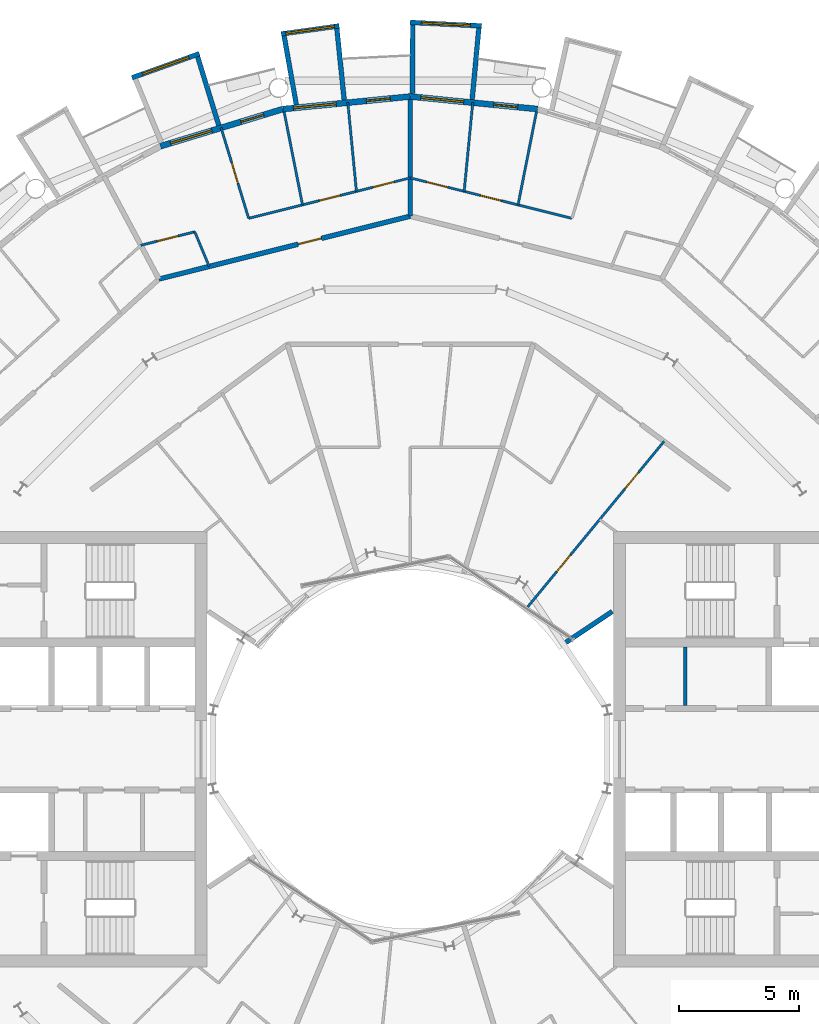
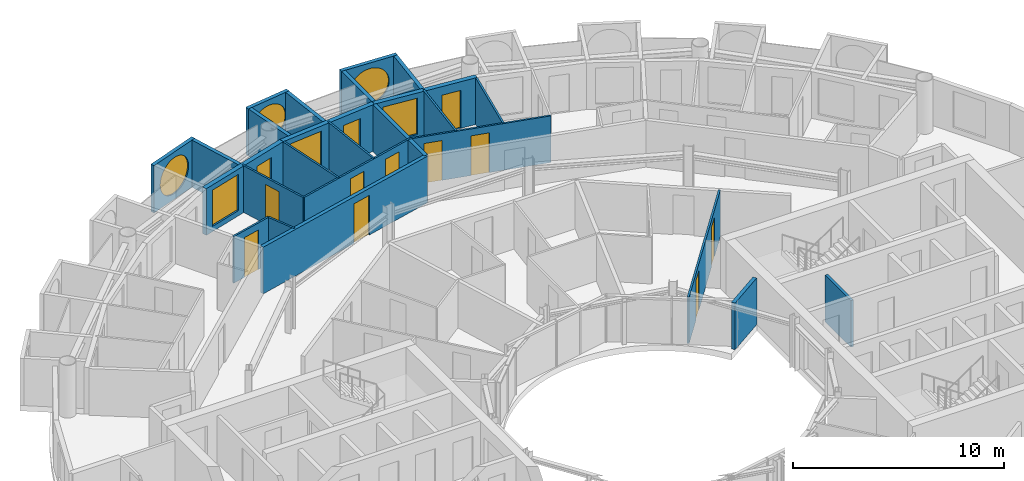
# One storey, part 21 of 26: 25 walls, 12 doors, 6 windows, 18 openings.
"""IFC4 building model written with IfcOpenShell, lengths in metres."""

from ifc_helpers import new_model, si_unit, direction, frame, frame_2d, origin, place, context, subcontext, project, spatial, rectangle, circle, extrude, material, layer, layer_set, type_object, element, fill, save


model = new_model("IFC4")

# Units and contexts
model_context = context("Model", 3, precision=1e-05, world=origin(), true_north=direction((0.0, 1.0)))
body_context = subcontext(model_context, "Body", "Model", "MODEL_VIEW")
ifc_project = project(units=[si_unit("LENGTHUNIT", "METRE"), si_unit("AREAUNIT", "SQUARE_METRE"), si_unit("VOLUMEUNIT", "CUBIC_METRE"), si_unit("PLANEANGLEUNIT", "RADIAN"), si_unit("MASSUNIT", "GRAM", prefix="KILO")], contexts=[model_context])

# Site, building, storey
site_placement = place(None, origin())
site = spatial("IfcSite", under=ifc_project, at=site_placement, CompositionType="ELEMENT")
building_placement = place(site_placement, origin())
building = spatial("IfcBuilding", under=site, at=building_placement, Name="Maasbend Ring Residences", CompositionType="ELEMENT")
storey_placement = place(building_placement, frame((0.0, 0.0, 154.35009765625)))
storey = spatial("IfcBuildingStorey", under=building, at=storey_placement, Name="L44", CompositionType="ELEMENT", Elevation=154.35009765625)

# Wall, opening, door
ifc_material_1 = material(Name="Concrete C30/37", Category="concrete")
ifc_layer_1 = layer(ifc_material_1, 0.199951171875)
ifc_layer_set_1 = layer_set([ifc_layer_1], Name="Concrete C30/37")
wall_type_1 = type_object("IfcWallType", Name="CORRIDOR WALL 200 CONCRETE", PredefinedType="PARTITIONING", material=ifc_layer_set_1)
wall_1_placement = place(storey_placement, frame((-10.511962890625, 19.6669921875, 0.0), z_axis=(0.0, 0.0, 1.0), x_axis=(0.970086843848, 0.242758141765, 0.0)))
wall_1 = element("IfcWall", 1, at=wall_1_placement, inside=storey, type_object=wall_type_1, Name="U-L44-w103", PredefinedType="PARTITIONING", context=body_context, shape_type="SweptSolid", body=[
    extrude(rectangle(XDim=10.84228515625, YDim=0.199951171875, at=frame_2d((5.421142578125, 0.0))), origin(), (0.0, 0.0, 1.0), 2.699951171875),
])
opening_1_placement = place(wall_1_placement, frame((6.001953125, 0.0, 0.0)))
opening_1 = element("IfcOpeningElement", 2, at=opening_1_placement, cuts=wall_1, Name="Opening D-4411", PredefinedType="OPENING", context=body_context, shape_type="SweptSolid", body=[
    extrude(rectangle(XDim=1.0, YDim=2.300048828125, at=frame_2d((0.5, 1.14990234375))), frame((0.0, 0.10986328125, 0.0), z_axis=(0.0, -1.0, 0.0), x_axis=(1.0, 0.0, 0.0)), (0.0, 0.0, 1.0), 0.219970703125),
])
ifc_material_2 = material(Name="Timber, fire-rated, painted", Category="wood")
door_type_1 = type_object("IfcDoorType", Name="FLAT ENTRANCE DOOR 1000 X 2300 FIRE-RATED", OperationType="NOTDEFINED", PredefinedType="DOOR", material=ifc_material_2)
door_1_placement = place(opening_1_placement, origin())
door_1 = element("IfcDoor", 3, at=door_1_placement, inside=storey, type_object=door_type_1, Name="D-4411", OperationType="SINGLE_SWING_RIGHT", OverallHeight=2.300048828125, OverallWidth=1.0, PredefinedType="DOOR", context=body_context, shape_type="SweptSolid", body=[
    extrude(rectangle(XDim=1.0, YDim=2.300048828125, at=frame_2d((0.5, 1.14990234375))), frame((0.0, 0.02490234375, 0.0), z_axis=(0.0, -1.0, 0.0), x_axis=(1.0, 0.0, 0.0)), (0.0, 0.0, 1.0), 0.050048828125),
])
fill(opening_1, door_1)

# Wall, opening, window
ifc_material_3 = material(Name="Pale anodised aluminium panel", Category="aluminium")
ifc_layer_2 = layer(ifc_material_3, 0.199951171875)
ifc_layer_set_2 = layer_set([ifc_layer_2], Name="EW-BOX")
wall_type_2 = type_object("IfcWallType", Name="EW-BOX", PredefinedType="SOLIDWALL", material=ifc_layer_set_2)
wall_2_placement = place(storey_placement, frame((2.985107421875, 30.2529296875, -0.030029296875), z_axis=(0.0, 0.0, 1.0), x_axis=(-0.998794083011, 0.049095618353, 0.0)))
wall_2 = element("IfcWall", 4, at=wall_2_placement, inside=storey, type_object=wall_type_2, Name="Box front N10", PredefinedType="SOLIDWALL", context=body_context, shape_type="SweptSolid", body=[
    extrude(rectangle(XDim=2.99365234375, YDim=0.199951171875, at=frame_2d((1.496826171875, 0.0))), origin(), (0.0, 0.0, 1.0), 2.72998046875),
])
opening_2_placement = place(wall_2_placement, frame((0.45654296875, 0.0, 0.330078125)))
opening_2 = element("IfcOpeningElement", 5, at=opening_2_placement, cuts=wall_2, Name="Opening W-RD", PredefinedType="OPENING", context=body_context, shape_type="SweptSolid", body=[
    extrude(circle(Radius=1.0400390625, at=frame_2d((1.0400390625, 1.0400390625))), frame((0.0, 0.10986328125, 0.0), z_axis=(0.0, -1.0, 0.0), x_axis=(1.0, 0.0, 0.0)), (0.0, 0.0, 1.0), 0.219970703125),
])
ifc_material_4 = material(Name="Aluminium and clear glass", Category="aluminium")
window_type_1 = type_object("IfcWindowType", Name="W-RD", PartitioningType="SINGLE_PANEL", PredefinedType="WINDOW", material=ifc_material_4)
window_1_placement = place(opening_2_placement, origin())
window_1 = element("IfcWindow", 6, at=window_1_placement, inside=storey, type_object=window_type_1, Name="Round window N10", OverallHeight=2.080078125, OverallWidth=2.080078125, PartitioningType="SINGLE_PANEL", PredefinedType="WINDOW", context=body_context, shape_type="SweptSolid", body=[
    extrude(circle(Radius=1.0400390625, at=frame_2d((1.0400390625, 1.0400390625))), frame((0.0, 0.030029296875, 0.0), z_axis=(0.0, -1.0, 0.0), x_axis=(1.0, 0.0, 0.0)), (0.0, 0.0, 1.0), 0.06005859375),
])
fill(opening_2, window_1)

# Walls
wall_3_placement = place(storey_placement, frame((2.5859375, 27.1708984375, -0.030029296875), z_axis=(0.0, 0.0, 1.0), x_axis=(0.094548432284, 0.995520262954, 0.0)))
element("IfcWall", 7, at=wall_3_placement, inside=storey, type_object=wall_type_2, Name="Box side wall N10 left", PredefinedType="SOLIDWALL", context=body_context, shape_type="SweptSolid", body=[
    extrude(rectangle(XDim=3.005615234375, YDim=0.199951171875, at=frame_2d((1.5029296875, 0.0))), origin(), (0.0, 0.0, 1.0), 2.72998046875),
])
wall_4_placement = place(storey_placement, frame((0.090087890625, 27.4169921875, -0.030029296875), z_axis=(0.0, 0.0, 1.0), x_axis=(0.00347308367, 0.999993968827, 0.0)))
element("IfcWall", 8, at=wall_4_placement, inside=storey, type_object=wall_type_2, Name="Box side wall N10 right", PredefinedType="SOLIDWALL", context=body_context, shape_type="SweptSolid", body=[
    extrude(rectangle(XDim=2.882080078125, YDim=0.199951171875, at=frame_2d((1.44091796875, 0.0))), origin(), (0.0, 0.0, 1.0), 2.72998046875),
])

# Wall, opening, window
wall_5_placement = place(storey_placement, frame((-2.97607421875, 30.25390625, -0.030029296875), z_axis=(0.0, 0.0, 1.0), x_axis=(-0.990462016113, -0.137786046596, 0.0)))
wall_5 = element("IfcWall", 9, at=wall_5_placement, inside=storey, type_object=wall_type_2, Name="Box front N12", PredefinedType="SOLIDWALL", context=body_context, shape_type="SweptSolid", body=[
    extrude(rectangle(XDim=2.4453125, YDim=0.199951171875, at=frame_2d((1.22265625, 0.0))), origin(), (0.0, 0.0, 1.0), 2.72998046875),
])
opening_3_placement = place(wall_5_placement, frame((0.182861328125, 0.0, 0.330078125)))
opening_3 = element("IfcOpeningElement", 10, at=opening_3_placement, cuts=wall_5, Name="Opening W-RD", PredefinedType="OPENING", context=body_context, shape_type="SweptSolid", body=[
    extrude(circle(Radius=1.0400390625, at=frame_2d((1.0400390625, 1.0400390625))), frame((0.0, 0.10986328125, 0.0), z_axis=(0.0, -1.0, 0.0), x_axis=(1.0, 0.0, 0.0)), (0.0, 0.0, 1.0), 0.219970703125),
])
window_2_placement = place(opening_3_placement, origin())
window_2 = element("IfcWindow", 11, at=window_2_placement, inside=storey, type_object=window_type_1, Name="Round window N12", OverallHeight=2.080078125, OverallWidth=2.080078125, PartitioningType="SINGLE_PANEL", PredefinedType="WINDOW", context=body_context, shape_type="SweptSolid", body=[
    extrude(circle(Radius=1.0400390625, at=frame_2d((1.0400390625, 1.0400390625))), frame((0.0, 0.030029296875, 0.0), z_axis=(0.0, -1.0, 0.0), x_axis=(1.0, 0.0, 0.0)), (0.0, 0.0, 1.0), 0.06005859375),
])
fill(opening_3, window_2)

# Walls
wall_6_placement = place(storey_placement, frame((-2.763916015625, 27.153076171875, -0.030029296875), z_axis=(0.0, 0.0, 1.0), x_axis=(-0.101505487237, 0.994834979311, 0.0)))
element("IfcWall", 12, at=wall_6_placement, inside=storey, type_object=wall_type_2, Name="Box side wall N12 left", PredefinedType="SOLIDWALL", context=body_context, shape_type="SweptSolid", body=[
    extrude(rectangle(XDim=3.006591796875, YDim=0.199951171875, at=frame_2d((1.50341796875, 0.0))), origin(), (0.0, 0.0, 1.0), 2.72998046875),
])
wall_7_placement = place(storey_placement, frame((-4.76904296875, 26.9560546875, -0.030029296875), z_axis=(0.0, 0.0, 1.0), x_axis=(-0.174056778901, 0.984735618183, 0.0)))
element("IfcWall", 13, at=wall_7_placement, inside=storey, type_object=wall_type_2, Name="Box side wall N12 right", PredefinedType="SOLIDWALL", context=body_context, shape_type="SweptSolid", body=[
    extrude(rectangle(XDim=2.924560546875, YDim=0.199951171875, at=frame_2d((1.46240234375, 0.0))), origin(), (0.0, 0.0, 1.0), 2.72998046875),
])

# Wall, opening, window
wall_8_placement = place(storey_placement, frame((-8.820068359375, 29.093017578125, -0.030029296875), z_axis=(0.0, 0.0, 1.0), x_axis=(-0.941461077774, -0.337121697664, 0.0)))
wall_8 = element("IfcWall", 14, at=wall_8_placement, inside=storey, type_object=wall_type_2, Name="Box front N14", PredefinedType="SOLIDWALL", context=body_context, shape_type="SweptSolid", body=[
    extrude(rectangle(XDim=2.9931640625, YDim=0.199951171875, at=frame_2d((1.49658203125, 0.0))), origin(), (0.0, 0.0, 1.0), 2.72998046875),
])
opening_4_placement = place(wall_8_placement, frame((0.45654296875, 0.0, 0.330078125)))
opening_4 = element("IfcOpeningElement", 15, at=opening_4_placement, cuts=wall_8, Name="Opening W-RD", PredefinedType="OPENING", context=body_context, shape_type="SweptSolid", body=[
    extrude(circle(Radius=1.0400390625, at=frame_2d((1.0400390625, 1.0400390625))), frame((0.0, 0.10986328125, 0.0), z_axis=(0.0, -1.0, 0.0), x_axis=(1.0, 0.0, 0.0)), (0.0, 0.0, 1.0), 0.219970703125),
])
window_3_placement = place(opening_4_placement, origin())
window_3 = element("IfcWindow", 16, at=window_3_placement, inside=storey, type_object=window_type_1, Name="Round window N14", OverallHeight=2.080078125, OverallWidth=2.080078125, PartitioningType="SINGLE_PANEL", PredefinedType="WINDOW", context=body_context, shape_type="SweptSolid", body=[
    extrude(circle(Radius=1.0400390625, at=frame_2d((1.0400390625, 1.0400390625))), frame((0.0, 0.030029296875, 0.0), z_axis=(0.0, -1.0, 0.0), x_axis=(1.0, 0.0, 0.0)), (0.0, 0.0, 1.0), 0.06005859375),
])
fill(opening_4, window_3)

# Wall
wall_9_placement = place(storey_placement, frame((-8.009033203125, 26.092041015625, -0.030029296875), z_axis=(0.0, 0.0, 1.0), x_axis=(-0.293406695073, 0.955987715029, 0.0)))
element("IfcWall", 17, at=wall_9_placement, inside=storey, type_object=wall_type_2, Name="Box side wall N14 left", PredefinedType="SOLIDWALL", context=body_context, shape_type="SweptSolid", body=[
    extrude(rectangle(XDim=3.00634765625, YDim=0.199951171875, at=frame_2d((1.503173828125, 0.0))), origin(), (0.0, 0.0, 1.0), 2.72998046875),
])

# Wall, openings, door, window
ifc_material_5 = material(Name="Aluminium clad insulated panel", Category="aluminium")
ifc_layer_3 = layer(ifc_material_5, 0.25)
ifc_layer_set_3 = layer_set([ifc_layer_3], Name="EW-GL")
wall_type_3 = type_object("IfcWallType", Name="EW-GL", PredefinedType="SOLIDWALL", material=ifc_layer_set_3)
wall_10_placement = place(storey_placement, frame((5.325927734375, 26.77490234375, 0.0), z_axis=(0.0, 0.0, 1.0), x_axis=(-0.995173996315, 0.098126026407, 0.0)))
wall_10 = element("IfcWall", 18, at=wall_10_placement, inside=storey, type_object=wall_type_3, Name="External wall N05", PredefinedType="SOLIDWALL", context=body_context, shape_type="SweptSolid", body=[
    extrude(rectangle(XDim=5.351806640625, YDim=0.25, at=frame_2d((2.67578125, 0.0))), origin(), (0.0, 0.0, 1.0), 2.699951171875),
])
opening_5_placement = place(wall_10_placement, frame((0.841064453125, 0.0, 0.0)))
opening_5 = element("IfcOpeningElement", 19, at=opening_5_placement, cuts=wall_10, Name="Opening D-LG", PredefinedType="OPENING", context=body_context, shape_type="SweptSolid", body=[
    extrude(rectangle(XDim=1.0, YDim=2.199951171875, at=frame_2d((0.5, 1.10009765625))), frame((0.0, 0.135009765625, 0.0), z_axis=(0.0, -1.0, 0.0), x_axis=(1.0, 0.0, 0.0)), (0.0, 0.0, 1.0), 0.27001953125),
])
opening_6_placement = place(wall_10_placement, frame((3.110595703125, 0.0, 0.300048828125)))
opening_6 = element("IfcOpeningElement", 20, at=opening_6_placement, cuts=wall_10, Name="Opening W-BX", PredefinedType="OPENING", context=body_context, shape_type="SweptSolid", body=[
    extrude(rectangle(XDim=1.800048828125, YDim=2.10009765625, at=frame_2d((0.89990234375, 1.050048828125))), frame((0.0, 0.135009765625, 0.0), z_axis=(0.0, -1.0, 0.0), x_axis=(1.0, 0.0, 0.0)), (0.0, 0.0, 1.0), 0.27001953125),
])
ifc_material_6 = material(Name="Aluminium and clear glass", Category="aluminium")
door_type_2 = type_object("IfcDoorType", Name="D-LG", OperationType="SINGLE_SWING_LEFT", PredefinedType="DOOR", material=ifc_material_6)
door_2_placement = place(opening_5_placement, origin())
door_2 = element("IfcDoor", 21, at=door_2_placement, inside=storey, type_object=door_type_2, Name="Loggia door N09", OperationType="SINGLE_SWING_LEFT", OverallHeight=2.199951171875, OverallWidth=1.0, PredefinedType="DOOR", context=body_context, shape_type="SweptSolid", body=[
    extrude(rectangle(XDim=1.0, YDim=2.199951171875, at=frame_2d((0.5, 1.10009765625))), frame((0.0, 0.02490234375, 0.0), z_axis=(0.0, -1.0, 0.0), x_axis=(1.0, 0.0, 0.0)), (0.0, 0.0, 1.0), 0.050048828125),
])
fill(opening_5, door_2)
ifc_material_7 = material(Name="Aluminium and clear glass", Category="aluminium")
window_type_2 = type_object("IfcWindowType", Name="W-BX", PartitioningType="DOUBLE_PANEL_VERTICAL", PredefinedType="WINDOW", material=ifc_material_7)
window_4_placement = place(opening_6_placement, origin())
window_4 = element("IfcWindow", 22, at=window_4_placement, inside=storey, type_object=window_type_2, Name="Window N10 room to box", OverallHeight=2.10009765625, OverallWidth=1.800048828125, PartitioningType="SINGLE_PANEL", PredefinedType="WINDOW", context=body_context, shape_type="SweptSolid", body=[
    extrude(rectangle(XDim=1.800048828125, YDim=2.10009765625, at=frame_2d((0.89990234375, 1.050048828125))), frame((0.0, 0.030029296875, 0.0), z_axis=(0.0, -1.0, 0.0), x_axis=(1.0, 0.0, 0.0)), (0.0, 0.0, 1.0), 0.06005859375),
])
fill(opening_6, window_4)

wall_11_placement = place(storey_placement, frame((0.0, 27.300048828125, 0.0), z_axis=(0.0, 0.0, 1.0), x_axis=(-0.995173996315, -0.098126026407, 0.0)))
wall_11 = element("IfcWall", 23, at=wall_11_placement, inside=storey, type_object=wall_type_3, Name="External wall N06", PredefinedType="SOLIDWALL", context=body_context, shape_type="SweptSolid", body=[
    extrude(rectangle(XDim=5.351806640625, YDim=0.25, at=frame_2d((2.67578125, 0.0))), origin(), (0.0, 0.0, 1.0), 2.699951171875),
])
opening_7_placement = place(wall_11_placement, frame((0.841064453125, 0.0, 0.0)))
opening_7 = element("IfcOpeningElement", 24, at=opening_7_placement, cuts=wall_11, Name="Opening D-LG", PredefinedType="OPENING", context=body_context, shape_type="SweptSolid", body=[
    extrude(rectangle(XDim=1.0, YDim=2.199951171875, at=frame_2d((0.5, 1.10009765625))), frame((0.0, 0.135009765625, 0.0), z_axis=(0.0, -1.0, 0.0), x_axis=(1.0, 0.0, 0.0)), (0.0, 0.0, 1.0), 0.27001953125),
])
opening_8_placement = place(wall_11_placement, frame((3.110595703125, 0.0, 0.300048828125)))
opening_8 = element("IfcOpeningElement", 25, at=opening_8_placement, cuts=wall_11, Name="Opening W-BX", PredefinedType="OPENING", context=body_context, shape_type="SweptSolid", body=[
    extrude(rectangle(XDim=1.800048828125, YDim=2.10009765625, at=frame_2d((0.89990234375, 1.050048828125))), frame((0.0, 0.135009765625, 0.0), z_axis=(0.0, -1.0, 0.0), x_axis=(1.0, 0.0, 0.0)), (0.0, 0.0, 1.0), 0.27001953125),
])
door_3_placement = place(opening_7_placement, origin())
door_3 = element("IfcDoor", 26, at=door_3_placement, inside=storey, type_object=door_type_2, Name="Loggia door N11", OperationType="SINGLE_SWING_LEFT", OverallHeight=2.199951171875, OverallWidth=1.0, PredefinedType="DOOR", context=body_context, shape_type="SweptSolid", body=[
    extrude(rectangle(XDim=1.0, YDim=2.199951171875, at=frame_2d((0.5, 1.10009765625))), frame((0.0, 0.02490234375, 0.0), z_axis=(0.0, -1.0, 0.0), x_axis=(1.0, 0.0, 0.0)), (0.0, 0.0, 1.0), 0.050048828125),
])
fill(opening_7, door_3)
window_5_placement = place(opening_8_placement, origin())
window_5 = element("IfcWindow", 27, at=window_5_placement, inside=storey, type_object=window_type_2, Name="Window N12 room to box", OverallHeight=2.10009765625, OverallWidth=1.800048828125, PartitioningType="SINGLE_PANEL", PredefinedType="WINDOW", context=body_context, shape_type="SweptSolid", body=[
    extrude(rectangle(XDim=1.800048828125, YDim=2.10009765625, at=frame_2d((0.89990234375, 1.050048828125))), frame((0.0, 0.030029296875, 0.0), z_axis=(0.0, -1.0, 0.0), x_axis=(1.0, 0.0, 0.0)), (0.0, 0.0, 1.0), 0.06005859375),
])
fill(opening_8, window_5)

wall_12_placement = place(storey_placement, frame((-5.325927734375, 26.77490234375, 0.0), z_axis=(0.0, 0.0, 1.0), x_axis=(-0.956965678721, -0.290201119486, 0.0)))
wall_12 = element("IfcWall", 28, at=wall_12_placement, inside=storey, type_object=wall_type_3, Name="External wall N07", PredefinedType="SOLIDWALL", context=body_context, shape_type="SweptSolid", body=[
    extrude(rectangle(XDim=5.351318359375, YDim=0.25, at=frame_2d((2.67578125, 0.0))), origin(), (0.0, 0.0, 1.0), 2.699951171875),
])
opening_9_placement = place(wall_12_placement, frame((0.841064453125, 0.0, 0.0)))
opening_9 = element("IfcOpeningElement", 29, at=opening_9_placement, cuts=wall_12, Name="Opening D-LG", PredefinedType="OPENING", context=body_context, shape_type="SweptSolid", body=[
    extrude(rectangle(XDim=1.0, YDim=2.199951171875, at=frame_2d((0.5, 1.10009765625))), frame((0.0, 0.135009765625, 0.0), z_axis=(0.0, -1.0, 0.0), x_axis=(1.0, 0.0, 0.0)), (0.0, 0.0, 1.0), 0.27001953125),
])
opening_10_placement = place(wall_12_placement, frame((3.110595703125, 0.0, 0.300048828125)))
opening_10 = element("IfcOpeningElement", 30, at=opening_10_placement, cuts=wall_12, Name="Opening W-BX", PredefinedType="OPENING", context=body_context, shape_type="SweptSolid", body=[
    extrude(rectangle(XDim=1.800048828125, YDim=2.10009765625, at=frame_2d((0.89990234375, 1.050048828125))), frame((0.0, 0.135009765625, 0.0), z_axis=(0.0, -1.0, 0.0), x_axis=(1.0, 0.0, 0.0)), (0.0, 0.0, 1.0), 0.27001953125),
])
door_4_placement = place(opening_9_placement, origin())
door_4 = element("IfcDoor", 31, at=door_4_placement, inside=storey, type_object=door_type_2, Name="Loggia door N13", OperationType="SINGLE_SWING_LEFT", OverallHeight=2.199951171875, OverallWidth=1.0, PredefinedType="DOOR", context=body_context, shape_type="SweptSolid", body=[
    extrude(rectangle(XDim=1.0, YDim=2.199951171875, at=frame_2d((0.5, 1.10009765625))), frame((0.0, 0.02490234375, 0.0), z_axis=(0.0, -1.0, 0.0), x_axis=(1.0, 0.0, 0.0)), (0.0, 0.0, 1.0), 0.050048828125),
])
fill(opening_9, door_4)
window_6_placement = place(opening_10_placement, origin())
window_6 = element("IfcWindow", 32, at=window_6_placement, inside=storey, type_object=window_type_2, Name="Window N14 room to box", OverallHeight=2.10009765625, OverallWidth=1.800048828125, PartitioningType="SINGLE_PANEL", PredefinedType="WINDOW", context=body_context, shape_type="SweptSolid", body=[
    extrude(rectangle(XDim=1.800048828125, YDim=2.10009765625, at=frame_2d((0.89990234375, 1.050048828125))), frame((0.0, 0.030029296875, 0.0), z_axis=(0.0, -1.0, 0.0), x_axis=(1.0, 0.0, 0.0)), (0.0, 0.0, 1.0), 0.06005859375),
])
fill(opening_10, window_6)

# Wall
ifc_material_8 = material(Name="Gypsum board on steel studs", Category="steel")
ifc_layer_4 = layer(ifc_material_8, 0.10009765625)
ifc_layer_set_4 = layer_set([ifc_layer_4], Name="PARTITION 100 GYPSUM")
wall_type_4 = type_object("IfcWallType", Name="PARTITION 100 GYPSUM", PredefinedType="PARTITIONING", material=ifc_layer_set_4)
wall_13_placement = place(storey_placement, frame((-9.012939453125, 21.64208984375, 0.0), z_axis=(0.0, 0.0, 1.0), x_axis=(0.384228756538, -0.923237923099, 0.0)))
element("IfcWall", 33, at=wall_13_placement, inside=storey, type_object=wall_type_4, Name="U-L44-w031", PredefinedType="PARTITIONING", context=body_context, shape_type="SweptSolid", body=[
    extrude(rectangle(XDim=1.5693359375, YDim=0.10009765625, at=frame_2d((0.78466796875, 0.0))), origin(), (0.0, 0.0, 1.0), 2.699951171875),
])

# Wall, opening, door
wall_14_placement = place(storey_placement, frame((-7.9140625, 25.9970703125, 0.0), z_axis=(0.0, 0.0, 1.0), x_axis=(0.291291575636, -0.956634317785, 0.0)))
wall_14 = element("IfcWall", 34, at=wall_14_placement, inside=storey, type_object=wall_type_4, Name="U-L44-w051", PredefinedType="PARTITIONING", context=body_context, shape_type="SweptSolid", body=[
    extrude(rectangle(XDim=3.9619140625, YDim=0.10009765625, at=frame_2d((1.98095703125, 0.0))), origin(), (0.0, 0.0, 1.0), 2.699951171875),
])
opening_11_placement = place(wall_14_placement, frame((1.531005859375, 0.0, 0.0)))
opening_11 = element("IfcOpeningElement", 35, at=opening_11_placement, cuts=wall_14, Name="Opening D-4413", PredefinedType="OPENING", context=body_context, shape_type="SweptSolid", body=[
    extrude(rectangle(XDim=0.89990234375, YDim=2.300048828125, at=frame_2d((0.449951171875, 1.14990234375))), frame((0.0, 0.06005859375, 0.0), z_axis=(0.0, -1.0, 0.0), x_axis=(1.0, 0.0, 0.0)), (0.0, 0.0, 1.0), 0.1201171875),
])
ifc_material_9 = material(Name="Timber, painted", Category="wood")
door_type_3 = type_object("IfcDoorType", Name="INTERNAL DOOR 900 X 2300", OperationType="NOTDEFINED", PredefinedType="DOOR", material=ifc_material_9)
door_5_placement = place(opening_11_placement, origin())
door_5 = element("IfcDoor", 36, at=door_5_placement, inside=storey, type_object=door_type_3, Name="D-4413", OperationType="SINGLE_SWING_RIGHT", OverallHeight=2.300048828125, OverallWidth=0.89990234375, PredefinedType="DOOR", context=body_context, shape_type="SweptSolid", body=[
    extrude(rectangle(XDim=0.89990234375, YDim=2.300048828125, at=frame_2d((0.449951171875, 1.14990234375))), frame((0.0, 0.02490234375, 0.0), z_axis=(0.0, -1.0, 0.0), x_axis=(1.0, 0.0, 0.0)), (0.0, 0.0, 1.0), 0.050048828125),
])
fill(opening_11, door_5)

# Walls
wall_15_placement = place(storey_placement, frame((-5.27587890625, 26.657958984375, 0.0), z_axis=(0.0, 0.0, 1.0), x_axis=(0.194030211642, -0.980995554001, 0.0)))
element("IfcWall", 37, at=wall_15_placement, inside=storey, type_object=wall_type_4, Name="U-L44-w055", PredefinedType="PARTITIONING", context=body_context, shape_type="SweptSolid", body=[
    extrude(rectangle(XDim=3.962158203125, YDim=0.10009765625, at=frame_2d((1.98095703125, 0.0))), origin(), (0.0, 0.0, 1.0), 2.699951171875),
])
for number, where, z_axis, x_axis, name in (
    (38, (-2.612060546875, 27.049072265625, 0.0), (0.0, 0.0, 1.0), (0.09626981452, -0.995355274669, 0.0), "U-L44-w057"),
    (39, (2.2529296875, 23.3359375, 0.0), (0.0, 0.0, 1.0), (0.09626981452, 0.995355274669, 0.0), "U-L44-w068"),
):
    element("IfcWall", number, at=place(storey_placement, frame(where, z_axis=z_axis, x_axis=x_axis)), inside=storey, type_object=wall_type_4, Name=name, PredefinedType="PARTITIONING", context=body_context, shape_type="SweptSolid", body=[
        extrude(rectangle(XDim=3.73046875, YDim=0.10009765625, at=frame_2d((1.865234375, 0.0))), origin(), (0.0, 0.0, 1.0), 2.699951171875),
    ])
wall_16_placement = place(storey_placement, frame((4.507080078125, 22.77099609375, 0.0), z_axis=(0.0, 0.0, 1.0), x_axis=(0.194030211642, 0.980995554001, 0.0)))
element("IfcWall", 40, at=wall_16_placement, inside=storey, type_object=wall_type_4, Name="U-L44-w069", PredefinedType="PARTITIONING", context=body_context, shape_type="SweptSolid", body=[
    extrude(rectangle(XDim=3.962158203125, YDim=0.10009765625, at=frame_2d((1.98095703125, 0.0))), origin(), (0.0, 0.0, 1.0), 2.699951171875),
])

# Wall, openings, doors
wall_17_placement = place(storey_placement, frame((4.908935546875, 5.9580078125, 0.0), z_axis=(0.0, 0.0, 1.0), x_axis=(0.635879010442, 0.771788756124, 0.0)))
wall_17 = element("IfcWall", 41, at=wall_17_placement, inside=storey, type_object=wall_type_4, Name="U-L44-w072", PredefinedType="PARTITIONING", context=body_context, shape_type="SweptSolid", body=[
    extrude(rectangle(XDim=8.96728515625, YDim=0.10009765625, at=frame_2d((4.483642578125, 0.0))), origin(), (0.0, 0.0, 1.0), 2.699951171875),
])
opening_12_placement = place(wall_17_placement, frame((6.39990234375, 0.0, 0.0)))
opening_12 = element("IfcOpeningElement", 42, at=opening_12_placement, cuts=wall_17, Name="Opening D-4423", PredefinedType="OPENING", context=body_context, shape_type="SweptSolid", body=[
    extrude(rectangle(XDim=0.89990234375, YDim=2.300048828125, at=frame_2d((0.449951171875, 1.14990234375))), frame((0.0, 0.06005859375, 0.0), z_axis=(0.0, -1.0, 0.0), x_axis=(1.0, 0.0, 0.0)), (0.0, 0.0, 1.0), 0.1201171875),
])
opening_13_placement = place(wall_17_placement, frame((1.9169921875, 0.0, 0.0)))
opening_13 = element("IfcOpeningElement", 43, at=opening_13_placement, cuts=wall_17, Name="Opening D-4424", PredefinedType="OPENING", context=body_context, shape_type="SweptSolid", body=[
    extrude(rectangle(XDim=0.89990234375, YDim=2.300048828125, at=frame_2d((0.449951171875, 1.14990234375))), frame((0.0, 0.06005859375, 0.0), z_axis=(0.0, -1.0, 0.0), x_axis=(1.0, 0.0, 0.0)), (0.0, 0.0, 1.0), 0.1201171875),
])
door_6_placement = place(opening_12_placement, origin())
door_6 = element("IfcDoor", 44, at=door_6_placement, inside=storey, type_object=door_type_3, Name="D-4423", OperationType="SINGLE_SWING_RIGHT", OverallHeight=2.300048828125, OverallWidth=0.89990234375, PredefinedType="DOOR", context=body_context, shape_type="SweptSolid", body=[
    extrude(rectangle(XDim=0.89990234375, YDim=2.300048828125, at=frame_2d((0.449951171875, 1.14990234375))), frame((0.0, 0.02490234375, 0.0), z_axis=(0.0, -1.0, 0.0), x_axis=(1.0, 0.0, 0.0)), (0.0, 0.0, 1.0), 0.050048828125),
])
fill(opening_12, door_6)
door_7_placement = place(opening_13_placement, origin())
door_7 = element("IfcDoor", 45, at=door_7_placement, inside=storey, type_object=door_type_3, Name="D-4424", OperationType="SINGLE_SWING_LEFT", OverallHeight=2.300048828125, OverallWidth=0.89990234375, PredefinedType="DOOR", context=body_context, shape_type="SweptSolid", body=[
    extrude(rectangle(XDim=0.89990234375, YDim=2.300048828125, at=frame_2d((0.449951171875, 1.14990234375))), frame((0.0, 0.02490234375, 0.0), z_axis=(0.0, -1.0, 0.0), x_axis=(1.0, 0.0, 0.0)), (0.0, 0.0, 1.0), 0.050048828125),
])
fill(opening_13, door_7)

# Wall, opening, door
wall_18_placement = place(storey_placement, frame((-11.26611328125, 21.077880859375, 0.0), z_axis=(0.0, 0.0, 1.0), x_axis=(0.970074595874, 0.242807080706, 0.0)))
wall_18 = element("IfcWall", 46, at=wall_18_placement, inside=storey, type_object=wall_type_4, Name="U-L44-w112", PredefinedType="PARTITIONING", context=body_context, shape_type="SweptSolid", body=[
    extrude(rectangle(XDim=2.32763671875, YDim=0.10009765625, at=frame_2d((1.163818359375, 0.0))), origin(), (0.0, 0.0, 1.0), 2.699951171875),
])
opening_14_placement = place(wall_18_placement, frame((0.714111328125, 0.0, 0.0)))
opening_14 = element("IfcOpeningElement", 47, at=opening_14_placement, cuts=wall_18, Name="Opening D-4412", PredefinedType="OPENING", context=body_context, shape_type="SweptSolid", body=[
    extrude(rectangle(XDim=0.89990234375, YDim=2.300048828125, at=frame_2d((0.449951171875, 1.14990234375))), frame((0.0, 0.06005859375, 0.0), z_axis=(0.0, -1.0, 0.0), x_axis=(1.0, 0.0, 0.0)), (0.0, 0.0, 1.0), 0.1201171875),
])
door_8_placement = place(opening_14_placement, origin())
door_8 = element("IfcDoor", 48, at=door_8_placement, inside=storey, type_object=door_type_3, Name="D-4412", OperationType="SINGLE_SWING_RIGHT", OverallHeight=2.300048828125, OverallWidth=0.89990234375, PredefinedType="DOOR", context=body_context, shape_type="SweptSolid", body=[
    extrude(rectangle(XDim=0.89990234375, YDim=2.300048828125, at=frame_2d((0.449951171875, 1.14990234375))), frame((0.0, 0.02490234375, 0.0), z_axis=(0.0, -1.0, 0.0), x_axis=(1.0, 0.0, 0.0)), (0.0, 0.0, 1.0), 0.050048828125),
])
fill(opening_14, door_8)

# Wall, openings, doors
wall_19_placement = place(storey_placement, frame((-6.760009765625, 22.2060546875, 0.0), z_axis=(0.0, 0.0, 1.0), x_axis=(0.970070358667, 0.242824008772, 0.0)))
wall_19 = element("IfcWall", 49, at=wall_19_placement, inside=storey, type_object=wall_type_4, Name="U-L44-w113", PredefinedType="PARTITIONING", context=body_context, shape_type="SweptSolid", body=[
    extrude(rectangle(XDim=6.9716796875, YDim=0.10009765625, at=frame_2d((3.48583984375, 0.0))), origin(), (0.0, 0.0, 1.0), 2.699951171875),
])
opening_15_placement = place(wall_19_placement, frame((3.037109375, 0.0, 0.0)))
opening_15 = element("IfcOpeningElement", 50, at=opening_15_placement, cuts=wall_19, Name="Opening D-4414", PredefinedType="OPENING", context=body_context, shape_type="SweptSolid", body=[
    extrude(rectangle(XDim=0.89990234375, YDim=2.300048828125, at=frame_2d((0.449951171875, 1.14990234375))), frame((0.0, 0.06005859375, 0.0), z_axis=(0.0, -1.0, 0.0), x_axis=(1.0, 0.0, 0.0)), (0.0, 0.0, 1.0), 0.1201171875),
])
opening_16_placement = place(wall_19_placement, frame((5.35693359375, 0.0, 0.0)))
opening_16 = element("IfcOpeningElement", 51, at=opening_16_placement, cuts=wall_19, Name="Opening D-4415", PredefinedType="OPENING", context=body_context, shape_type="SweptSolid", body=[
    extrude(rectangle(XDim=0.89990234375, YDim=2.300048828125, at=frame_2d((0.449951171875, 1.14990234375))), frame((0.0, 0.06005859375, 0.0), z_axis=(0.0, -1.0, 0.0), x_axis=(1.0, 0.0, 0.0)), (0.0, 0.0, 1.0), 0.1201171875),
])
door_9_placement = place(opening_15_placement, origin())
door_9 = element("IfcDoor", 52, at=door_9_placement, inside=storey, type_object=door_type_3, Name="D-4414", OperationType="SINGLE_SWING_RIGHT", OverallHeight=2.300048828125, OverallWidth=0.89990234375, PredefinedType="DOOR", context=body_context, shape_type="SweptSolid", body=[
    extrude(rectangle(XDim=0.89990234375, YDim=2.300048828125, at=frame_2d((0.449951171875, 1.14990234375))), frame((0.0, 0.02490234375, 0.0), z_axis=(0.0, -1.0, 0.0), x_axis=(1.0, 0.0, 0.0)), (0.0, 0.0, 1.0), 0.050048828125),
])
fill(opening_15, door_9)
door_10_placement = place(opening_16_placement, origin())
door_10 = element("IfcDoor", 53, at=door_10_placement, inside=storey, type_object=door_type_3, Name="D-4415", OperationType="SINGLE_SWING_RIGHT", OverallHeight=2.300048828125, OverallWidth=0.89990234375, PredefinedType="DOOR", context=body_context, shape_type="SweptSolid", body=[
    extrude(rectangle(XDim=0.89990234375, YDim=2.300048828125, at=frame_2d((0.449951171875, 1.14990234375))), frame((0.0, 0.02490234375, 0.0), z_axis=(0.0, -1.0, 0.0), x_axis=(1.0, 0.0, 0.0)), (0.0, 0.0, 1.0), 0.050048828125),
])
fill(opening_16, door_10)

wall_20_placement = place(storey_placement, frame((-0.0029296875, 23.89892578125, 0.0), z_axis=(0.0, 0.0, 1.0), x_axis=(0.970070358667, -0.242824008772, 0.0)))
wall_20 = element("IfcWall", 54, at=wall_20_placement, inside=storey, type_object=wall_type_4, Name="U-L44-w114", PredefinedType="PARTITIONING", context=body_context, shape_type="SweptSolid", body=[
    extrude(rectangle(XDim=6.9716796875, YDim=0.10009765625, at=frame_2d((3.48583984375, 0.0))), origin(), (0.0, 0.0, 1.0), 2.699951171875),
])
opening_17_placement = place(wall_20_placement, frame((3.034912109375, 0.0, 0.0)))
opening_17 = element("IfcOpeningElement", 55, at=opening_17_placement, cuts=wall_20, Name="Opening D-4409", PredefinedType="OPENING", context=body_context, shape_type="SweptSolid", body=[
    extrude(rectangle(XDim=0.89990234375, YDim=2.300048828125, at=frame_2d((0.449951171875, 1.14990234375))), frame((0.0, 0.06005859375, 0.0), z_axis=(0.0, -1.0, 0.0), x_axis=(1.0, 0.0, 0.0)), (0.0, 0.0, 1.0), 0.1201171875),
])
opening_18_placement = place(wall_20_placement, frame((0.715087890625, 0.0, 0.0)))
opening_18 = element("IfcOpeningElement", 56, at=opening_18_placement, cuts=wall_20, Name="Opening D-4410", PredefinedType="OPENING", context=body_context, shape_type="SweptSolid", body=[
    extrude(rectangle(XDim=0.89990234375, YDim=2.300048828125, at=frame_2d((0.449951171875, 1.14990234375))), frame((0.0, 0.06005859375, 0.0), z_axis=(0.0, -1.0, 0.0), x_axis=(1.0, 0.0, 0.0)), (0.0, 0.0, 1.0), 0.1201171875),
])
door_11_placement = place(opening_17_placement, origin())
door_11 = element("IfcDoor", 57, at=door_11_placement, inside=storey, type_object=door_type_3, Name="D-4409", OperationType="SINGLE_SWING_LEFT", OverallHeight=2.300048828125, OverallWidth=0.89990234375, PredefinedType="DOOR", context=body_context, shape_type="SweptSolid", body=[
    extrude(rectangle(XDim=0.89990234375, YDim=2.300048828125, at=frame_2d((0.449951171875, 1.14990234375))), frame((0.0, 0.02490234375, 0.0), z_axis=(0.0, -1.0, 0.0), x_axis=(1.0, 0.0, 0.0)), (0.0, 0.0, 1.0), 0.050048828125),
])
fill(opening_17, door_11)
door_12_placement = place(opening_18_placement, origin())
door_12 = element("IfcDoor", 58, at=door_12_placement, inside=storey, type_object=door_type_3, Name="D-4410", OperationType="SINGLE_SWING_LEFT", OverallHeight=2.300048828125, OverallWidth=0.89990234375, PredefinedType="DOOR", context=body_context, shape_type="SweptSolid", body=[
    extrude(rectangle(XDim=0.89990234375, YDim=2.300048828125, at=frame_2d((0.449951171875, 1.14990234375))), frame((0.0, 0.02490234375, 0.0), z_axis=(0.0, -1.0, 0.0), x_axis=(1.0, 0.0, 0.0)), (0.0, 0.0, 1.0), 0.050048828125),
])
fill(opening_18, door_12)

# Walls
ifc_material_10 = material(Name="Gypsum board on steel studs", Category="steel")
ifc_layer_5 = layer(ifc_material_10, 0.14990234375)
ifc_layer_set_5 = layer_set([ifc_layer_5], Name="PARTITION 150 EI 60")
wall_type_5 = type_object("IfcWallType", Name="PARTITION 150 EI 60", PredefinedType="PARTITIONING", material=ifc_layer_set_5)
wall_21_placement = place(storey_placement, frame((11.5, 1.824951171875, 0.0), z_axis=(0.0, 0.0, 1.0), x_axis=(0.0, 1.0, 0.0)))
element("IfcWall", 59, at=wall_21_placement, inside=storey, type_object=wall_type_5, Name="L44 core E wall PRN1150", PredefinedType="PARTITIONING", context=body_context, shape_type="SweptSolid", body=[
    extrude(rectangle(XDim=2.449951171875, YDim=0.14990234375, at=frame_2d((1.22509765625, 0.0))), origin(), (0.0, 0.0, 1.0), 2.699951171875),
])
ifc_material_11 = material(Name="Concrete C30/37", Category="concrete")
ifc_layer_6 = layer(ifc_material_11, 0.199951171875)
ifc_layer_set_6 = layer_set([ifc_layer_6], Name="Concrete C30/37")
wall_type_6 = type_object("IfcWallType", Name="PARTY WALL 200 CONCRETE", PredefinedType="PARTITIONING", material=ifc_layer_set_6)
wall_22_placement = place(storey_placement, frame((0.0, 22.300048828125, 0.0), z_axis=(0.0, 0.0, 1.0), x_axis=(0.0, 1.0, 0.0)))
element("IfcWall", 60, at=wall_22_placement, inside=storey, type_object=wall_type_6, Name="U-L44-w061", PredefinedType="PARTITIONING", context=body_context, shape_type="SweptSolid", body=[
    extrude(rectangle(XDim=4.875, YDim=0.199951171875, at=frame_2d((2.4375, 0.0))), origin(), (0.0, 0.0, 1.0), 2.699951171875),
])
wall_23_placement = place(storey_placement, frame((6.512939453125, 4.471923828125, 0.0), z_axis=(0.0, 0.0, 1.0), x_axis=(0.83133816625, 0.555766905579, 0.0)))
element("IfcWall", 61, at=wall_23_placement, inside=storey, type_object=wall_type_6, Name="U-L44-w090", PredefinedType="PARTITIONING", context=body_context, shape_type="SweptSolid", body=[
    extrude(rectangle(XDim=2.322998046875, YDim=0.199951171875, at=frame_2d((1.16162109375, 0.0))), origin(), (0.0, 0.0, 1.0), 2.699951171875),
])

save(model, "model.ifc")
